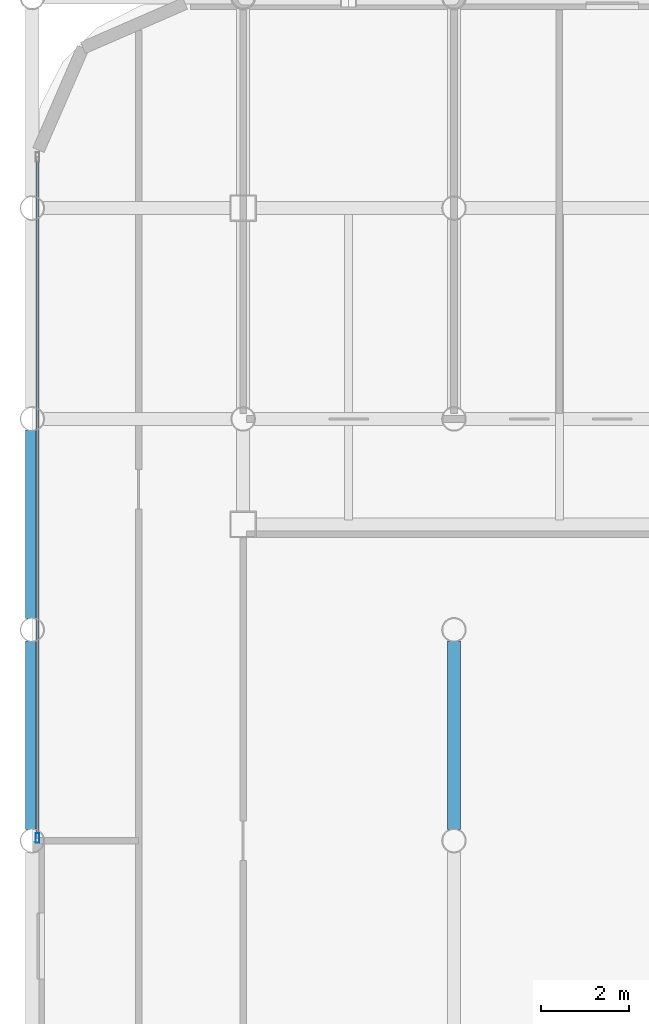
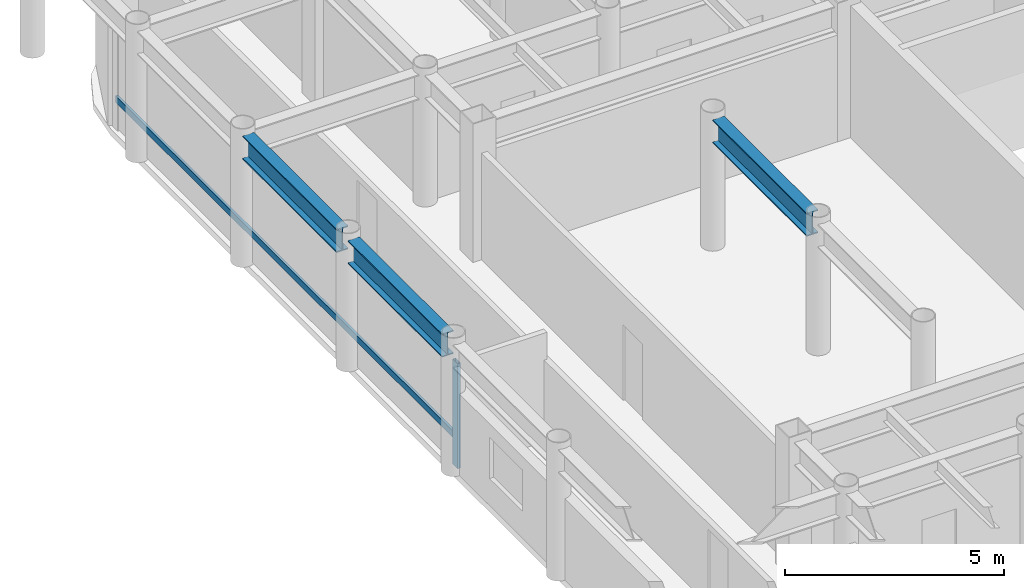
# One storey, part 6 of 22: 3 beams, 2 members, 1 element without a shape of its own.
"""IFC4 building model written with IfcOpenShell, lengths in metres."""

from ifc_helpers import new_model, si_unit, direction, frame, origin, origin_2d, place, context, subcontext, project, spatial, hollow_rectangle, i_section, extrude, material, layer, layer_set, material_profile, profile_set, type_object, element, aggregate, save


model = new_model("IFC4")

# Units and contexts
model_context = context("Model", 3, precision=1e-05, world=origin(), true_north=direction((0.0, 1.0)))
body_context = subcontext(model_context, "Body", "Model", "MODEL_VIEW")
ifc_project = project(units=[si_unit("LENGTHUNIT", "METRE"), si_unit("AREAUNIT", "SQUARE_METRE"), si_unit("VOLUMEUNIT", "CUBIC_METRE"), si_unit("PLANEANGLEUNIT", "RADIAN"), si_unit("MASSUNIT", "GRAM", prefix="KILO")], contexts=[model_context])

# Site, building, storey
site_placement = place(None, origin())
site = spatial("IfcSite", under=ifc_project, at=site_placement, CompositionType="ELEMENT")
building_placement = place(site_placement, origin())
building = spatial("IfcBuilding", under=site, at=building_placement, Name="Kallvorn Hotel Tower", CompositionType="ELEMENT")
storey_placement = place(building_placement, frame((0.0, 0.0, 203.050048828125)))
storey = spatial("IfcBuildingStorey", under=building, at=storey_placement, Name="L50", CompositionType="ELEMENT", Elevation=203.050048828125)

# Beams
ifc_material_1 = material(Name="Structural steel S355JR", Category="steel")
ifc_material_profile_1 = material_profile(ifc_material_1, i_section(OverallWidth=0.300048828125, OverallDepth=0.64990234375, WebThickness=0.01611328125, FlangeThickness=0.031005859375, at=origin_2d()), Name="HE 650 B")
ifc_profile_set_1 = profile_set([ifc_material_profile_1], Name="Structural steel S355JR")
beam_type = type_object("IfcBeamType", Name="BM_HE650B", PredefinedType="BEAM", material=ifc_profile_set_1)
for number, where, z_axis, x_axis, name in (
    (1, (-28.800048828125, 0.25439453125, 3.344970703125), (0.0, 1.0, 0.0), (-1.0, 0.0, 0.0), "L51 Primary Y-Girder 77"),
    (2, (-28.800048828125, 5.054443359375, 3.344970703125), (0.0, 1.0, 0.0), (-1.0, 0.0, 0.0), "L51 Primary Y-Girder 78"),
    (3, (-19.199951171875, 0.25439453125, 3.344970703125), (0.0, 1.0, 0.0), (-1.0, 0.0, 0.0), "L51 Primary Y-Girder 93"),
):
    element("IfcBeam", number, at=place(storey_placement, frame(where, z_axis=z_axis, x_axis=x_axis)), inside=storey, type_object=beam_type, Name=name, PredefinedType="BEAM", context=body_context, shape_type="SweptSolid", body=[
        extrude(i_section(OverallWidth=0.300048828125, OverallDepth=0.64990234375, WebThickness=0.01611328125, FlangeThickness=0.031005859375, at=origin_2d()), origin(), (0.0, 0.0, 1.0), 4.291015625),
    ])

# Curtain wall, members
ifc_material_2 = material(Name="Thermally broken black-anodised aluminium AA 6063-T6", Category="aluminium")
ifc_layer = layer(ifc_material_2, 0.22998046875)
ifc_layer_set = layer_set([ifc_layer], Name="CW_SYS_5_HOTEL_HIGH")
curtain_wall_type = type_object("IfcCurtainWallType", Name="CW_SYS_5_HOTEL_HIGH", PredefinedType="USERDEFINED", material=ifc_layer_set)
curtain_wall_placement = place(storey_placement, origin())
curtain_wall = element("IfcCurtainWall", 4, at=curtain_wall_placement, inside=storey, type_object=curtain_wall_type, Name="L50 Dark-Glass Curtain Wall CW-L50-WN", ObjectType="UNITISED CURTAIN WALL", PredefinedType="USERDEFINED")
ifc_material_3 = material(Name="Thermally broken black-anodised aluminium AA 6063-T6", Category="aluminium")
ifc_material_profile_2 = material_profile(ifc_material_3, hollow_rectangle(XDim=0.080078125, YDim=0.219970703125, WallThickness=0.0048828125, at=origin_2d()), Name="MUL 220x80")
ifc_profile_set_2 = profile_set([ifc_material_profile_2], Name="Thermally broken black-anodised aluminium AA 6063-T6")
member_type_1 = type_object("IfcMemberType", Name="CW_MULLION_220x80", PredefinedType="MULLION", material=ifc_profile_set_2)
member_1_placement = place(storey_placement, frame((-28.679931640625, 0.06005859375, 0.02001953125), z_axis=(0.0, 0.0, 1.0), x_axis=(1.0, 0.0, 0.0)))
member_1 = element("IfcMember", 5, at=member_1_placement, type_object=member_type_1, Name="CW-L50-WN Mullion 00", PredefinedType="MULLION", context=body_context, shape_type="SweptSolid", body=[
    extrude(hollow_rectangle(XDim=0.080078125, YDim=0.219970703125, WallThickness=0.0048828125, at=origin_2d()), origin(), (0.0, 0.0, 1.0), 2.929931640625),
])
ifc_material_4 = material(Name="Thermally broken black-anodised aluminium AA 6063-T6", Category="aluminium")
ifc_material_profile_3 = material_profile(ifc_material_4, hollow_rectangle(XDim=0.070068359375, YDim=0.179931640625, WallThickness=0.00390625, at=origin_2d()), Name="TRN 180x70")
ifc_profile_set_3 = profile_set([ifc_material_profile_3], Name="Thermally broken black-anodised aluminium AA 6063-T6")
member_type_2 = type_object("IfcMemberType", Name="CW_TRANSOM_180x70", PredefinedType="USERDEFINED", material=ifc_profile_set_3)
member_2_placement = place(storey_placement, frame((-28.679931640625, 0.06005859375, 0.849853515625), z_axis=(0.0, 1.0, 0.0), x_axis=(-1.0, 0.0, 0.0)))
member_2 = element("IfcMember", 6, at=member_2_placement, type_object=member_type_2, Name="CW-L50-WN Transom 00M", ObjectType="TRANSOM", PredefinedType="USERDEFINED", context=body_context, shape_type="SweptSolid", body=[
    extrude(hollow_rectangle(XDim=0.070068359375, YDim=0.179931640625, WallThickness=0.00390625, at=origin_2d()), origin(), (0.0, 0.0, 1.0), 15.5),
])
aggregate(curtain_wall, [member_1, member_2])

save(model, "model.ifc")
